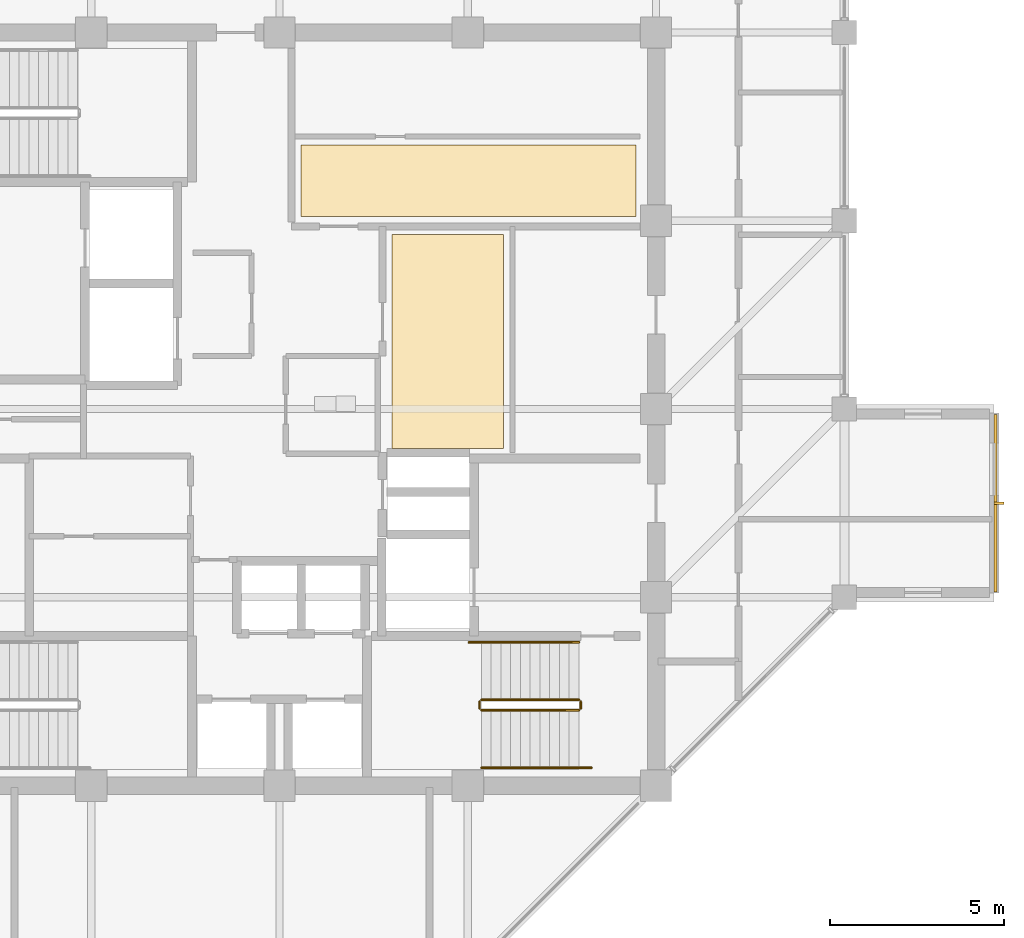
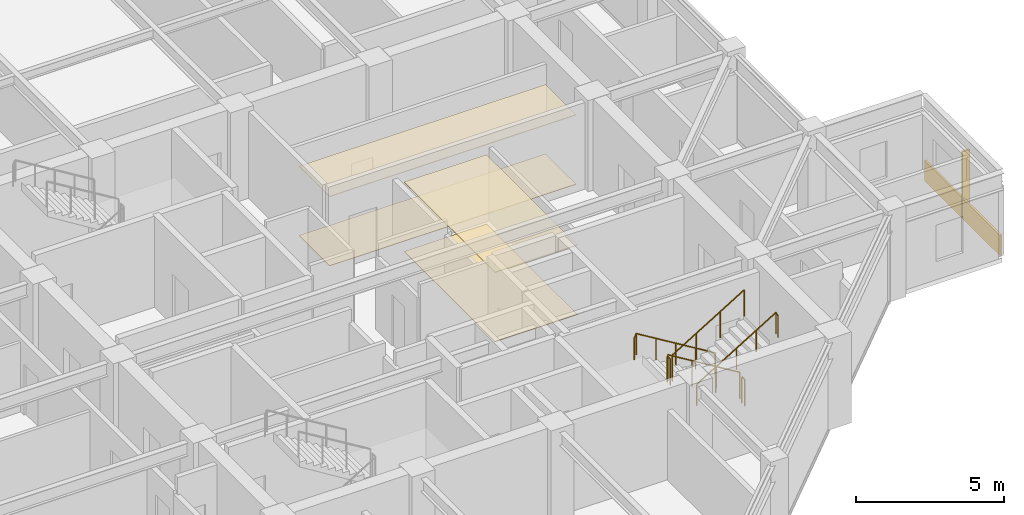
# One storey, part 30 of 31: 6 railings, 5 coverings, 1 shading device.
"""IFC4 building model written with IfcOpenShell, lengths in metres."""

import ifcopenshell
import ifcopenshell.guid

model = None  # the IFC model being written
_history = None  # IfcOwnerHistory: only IFC2X3 demands one
_inside = {}  # id of a spatial element -> (the spatial element, [elements in it])
_under = {}  # id of a project, library or spatial element -> (it, [spatial elements below it])
_declared = {}  # id of a project -> (the project, [libraries it declares])
_typed = {}  # id of a type object -> (the type object, [elements of that type])
_made_of = {}  # id of a material, layer set ... -> (it, [elements and type objects made of it])


def new_model(schema):
    """Start an empty IFC model of exactly this schema.

    Asked for "IFC4X3", IfcOpenShell would pick the latest addendum, in which some entities
    have other attributes; the version numbers below select the first issue.
    IFC2X3 requires an IfcOwnerHistory on every rooted entity: one is made here for all.
    """
    global model, _history
    if schema == "IFC4X3":
        model = ifcopenshell.file(schema_version=(4, 3, 0, 0))
    else:
        model = ifcopenshell.file(schema=schema)
    _inside.clear()
    _under.clear()
    _declared.clear()
    _typed.clear()
    _made_of.clear()
    _history = None
    if model.schema == "IFC2X3":
        org = make("IfcOrganization", Name="unknown")
        user = make(
            "IfcPersonAndOrganization",
            ThePerson=make("IfcPerson", FamilyName="unknown"),
            TheOrganization=org,
        )
        app = make(
            "IfcApplication",
            ApplicationDeveloper=org,
            Version="unknown",
            ApplicationFullName="unknown",
            ApplicationIdentifier="unknown",
        )
        _history = make(
            "IfcOwnerHistory",
            OwningUser=user,
            OwningApplication=app,
            ChangeAction="ADDED",
            CreationDate=0,
        )
    return model


def make(cls, **values):
    """One entity of the class cls with the attributes given. An attribute that is None is left unset."""
    return model.create_entity(
        cls, **{name: value for name, value in values.items() if value is not None}
    )


def rooted(cls, **values):
    """An entity with a GlobalId (a new one), such as an element, a storey or a relation."""
    return make(cls, GlobalId=ifcopenshell.guid.new(), OwnerHistory=_history, **values)


def si_unit(unit_type, name, prefix=None):
    """IfcSIUnit, for example si_unit("LENGTHUNIT", "METRE", prefix="MILLI")."""
    return make("IfcSIUnit", UnitType=unit_type, Prefix=prefix, Name=name)


def assignment(units):
    """IfcUnitAssignment: the units of a project."""
    return None if units is None else make("IfcUnitAssignment", Units=units)


def point(xyz):
    """IfcCartesianPoint."""
    return None if xyz is None else make("IfcCartesianPoint", Coordinates=xyz)


def direction(xyz):
    """IfcDirection."""
    return None if xyz is None else make("IfcDirection", DirectionRatios=xyz)


def frame(location, z_axis=None, x_axis=None):
    """IfcAxis2Placement3D, a coordinate frame: its origin and axes. An axis left out is left unset."""
    return make(
        "IfcAxis2Placement3D",
        Location=point(location),
        Axis=direction(z_axis),
        RefDirection=direction(x_axis),
    )


def frame_2d(location, x_axis=None):
    """IfcAxis2Placement2D, a coordinate frame in the plane: its origin and x axis."""
    return make(
        "IfcAxis2Placement2D", Location=point(location), RefDirection=direction(x_axis)
    )


def origin():
    """The frame at (0, 0, 0) with its axes left unset."""
    return frame((0.0, 0.0, 0.0))


def origin_2d():
    """The frame at (0, 0) in the plane with its x axis left unset."""
    return frame_2d((0.0, 0.0))


def place(relative_to, where):
    """IfcLocalPlacement: puts the frame where relative to a parent placement (None: the world)."""
    return make(
        "IfcLocalPlacement", PlacementRelTo=relative_to, RelativePlacement=where
    )


def context(
    kind, dimensions, precision=None, world=None, true_north=None, identifier=None
):
    """IfcGeometricRepresentationContext, for example the 3D "Model" context."""
    return make(
        "IfcGeometricRepresentationContext",
        ContextIdentifier=identifier,
        ContextType=kind,
        CoordinateSpaceDimension=dimensions,
        Precision=precision,
        WorldCoordinateSystem=world,
        TrueNorth=true_north,
    )


def subcontext(parent, identifier, kind, view, scale=None):
    """IfcGeometricRepresentationSubContext, for example "Body" below "Model"."""
    return make(
        "IfcGeometricRepresentationSubContext",
        ContextIdentifier=identifier,
        ContextType=kind,
        ParentContext=parent,
        TargetScale=scale,
        TargetView=view,
    )


def project(units=None, contexts=None):
    """IfcProject with its units and contexts."""
    return rooted(
        "IfcProject",
        Name="project",
        RepresentationContexts=contexts,
        UnitsInContext=assignment(units),
    )


def spatial(cls, under=None, at=None, **own):
    """A site, building, storey or space (cls), placed at a placement, below another one or the project."""
    s = rooted(cls, ObjectPlacement=at, **own)
    if under is not None:
        _under.setdefault(under.id(), (under, []))[1].append(s)
    return s


def polyline(points):
    """IfcPolyline through the points."""
    return make("IfcPolyline", Points=[point(p) for p in points])


def profile(cls, at=None, kind="AREA", **sizes):
    """A parametric profile (cls). Its sizes go by their IFC names, for example OverallWidth=200.0."""
    return make(cls, ProfileType=kind, Position=at, **sizes)


def rectangle(**sizes):
    """IfcRectangleProfileDef."""
    return profile("IfcRectangleProfileDef", **sizes)


def circle(**sizes):
    """IfcCircleProfileDef."""
    return profile("IfcCircleProfileDef", **sizes)


def outline(outer, holes=None, kind="AREA"):
    """IfcArbitraryClosedProfileDef: a profile drawn as a closed curve; with holes, ...WithVoids."""
    if holes is None:
        return make("IfcArbitraryClosedProfileDef", ProfileType=kind, OuterCurve=outer)
    return make(
        "IfcArbitraryProfileDefWithVoids",
        ProfileType=kind,
        OuterCurve=outer,
        InnerCurves=holes,
    )


def extrude(swept, where, along, depth):
    """IfcExtrudedAreaSolid: the profile swept, set in the frame where, extruded along a direction by depth."""
    return make(
        "IfcExtrudedAreaSolid",
        SweptArea=swept,
        Position=where,
        ExtrudedDirection=direction(along),
        Depth=depth,
    )


def shape(context_of_items, identifier, shape_type, items):
    """IfcShapeRepresentation: the items that make up one representation, for example the "Body"."""
    return make(
        "IfcShapeRepresentation",
        ContextOfItems=context_of_items,
        RepresentationIdentifier=identifier,
        RepresentationType=shape_type,
        Items=items,
    )


def material(Name=None, Category=None):
    """IfcMaterial."""
    return make("IfcMaterial", Name=Name, Category=Category)


def layer(
    of_material, thickness, ventilated=None, Name=None, Category=None, Priority=None
):
    """IfcMaterialLayer: one layer of a wall or slab, of a material (None: an air gap)."""
    return make(
        "IfcMaterialLayer",
        Material=of_material,
        LayerThickness=thickness,
        IsVentilated=ventilated,
        Name=Name,
        Category=Category,
        Priority=Priority,
    )


def layer_set(layers, Name=None):
    """IfcMaterialLayerSet."""
    return make("IfcMaterialLayerSet", MaterialLayers=layers, LayerSetName=Name)


def made_of(thing, what):
    """Note that an element or type object is made of a material, layer set ...; save() writes the relation."""
    if what is not None:
        _made_of.setdefault(what.id(), (what, []))[1].append(thing)
    return thing


def type_object(cls, material=None, **own):
    """A type object (cls), such as IfcWallType, which elements share."""
    return made_of(rooted(cls, **own), material)


def element(
    cls,
    number,
    at=None,
    inside=None,
    cuts=None,
    type_object=None,
    material=None,
    context=None,
    identifier="Body",
    shape_type=None,
    held_by="IfcProductDefinitionShape",
    body=None,
    shapes=None,
    **own,
):
    """One element of the class cls, such as IfcWall. Its Tag is "e" and its number.

    at: its placement. inside: the storey or other place that contains it. cuts: it is an
    opening in that element (IfcRelVoidsElement). A single representation is given by context,
    identifier, shape_type and body (its items); several are given by shapes. held_by: the class
    of the entity that holds the representations. save() writes the other relations.
    """
    e = rooted(cls, Tag="e%d" % number, ObjectPlacement=at, **own)
    if body is not None:
        shapes = [shape(context, identifier, shape_type, body)]
    if shapes is not None:
        e.Representation = make(held_by, Representations=shapes)
    if inside is not None:
        _inside.setdefault(inside.id(), (inside, []))[1].append(e)
    if cuts is not None:
        rooted(
            "IfcRelVoidsElement", RelatingBuildingElement=cuts, RelatedOpeningElement=e
        )
    if type_object is not None:
        _typed.setdefault(type_object.id(), (type_object, []))[1].append(e)
    return made_of(e, material)


def aggregate(whole, parts):
    """IfcRelAggregates: a whole, such as a stair, and the parts it consists of."""
    return rooted("IfcRelAggregates", RelatingObject=whole, RelatedObjects=parts)


def save(model, path):
    """Write the relations noted so far, then the file.

    IfcRelAggregates (storeys below a building ...), IfcRelContainedInSpatialStructure (elements
    in a storey), IfcRelDefinesByType, IfcRelAssociatesMaterial and IfcRelDeclares: one each for
    every whole, place, type object, material and project.
    """
    for whole, parts in _under.values():
        aggregate(whole, parts)
    for where, things in _inside.values():
        rooted(
            "IfcRelContainedInSpatialStructure",
            RelatedElements=things,
            RelatingStructure=where,
        )
    for kind, things in _typed.values():
        rooted("IfcRelDefinesByType", RelatedObjects=things, RelatingType=kind)
    for what, things in _made_of.values():
        rooted("IfcRelAssociatesMaterial", RelatedObjects=things, RelatingMaterial=what)
    for by, libraries in _declared.values():
        rooted("IfcRelDeclares", RelatingContext=by, RelatedDefinitions=libraries)
    model.write(path)


model = new_model("IFC4")

# Units and contexts
model_context = context("Model", 3, precision=1e-05, world=origin(), true_north=direction((0.0, 1.0)))
body_context = subcontext(model_context, "Body", "Model", "MODEL_VIEW")
ifc_project = project(units=[si_unit("LENGTHUNIT", "METRE"), si_unit("AREAUNIT", "SQUARE_METRE"), si_unit("VOLUMEUNIT", "CUBIC_METRE"), si_unit("PLANEANGLEUNIT", "RADIAN"), si_unit("MASSUNIT", "GRAM", prefix="KILO")], contexts=[model_context])

# Site, building, storey
site_placement = place(None, origin())
site = spatial("IfcSite", under=ifc_project, at=site_placement, CompositionType="ELEMENT")
building_placement = place(site_placement, origin())
building = spatial("IfcBuilding", under=site, at=building_placement, Name="Surkhivell Harbour Commons", CompositionType="ELEMENT")
storey_placement = place(building_placement, frame((0.0, 0.0, 322.5)))
storey = spatial("IfcBuildingStorey", under=building, at=storey_placement, Name="L84", CompositionType="ELEMENT", Elevation=322.5)

# Coverings
ifc_material_1 = material(Name="Perforated acoustic mineral-fibre ceiling tile", Category="other")
ifc_layer_1 = layer(ifc_material_1, 0.02490234375)
ifc_layer_set_1 = layer_set([ifc_layer_1], Name="Perforated acoustic mineral-fibre ceiling tile")
covering_type_1 = type_object("IfcCoveringType", Name="COV-CEIL-AC", PredefinedType="CEILING", material=ifc_layer_set_1)
covering_1_placement = place(storey_placement, frame((0.0, 0.0, 2.85205078125)))
element("IfcCovering", 1, at=covering_1_placement, inside=storey, type_object=covering_type_1, Name="L84 Suspended Acoustic Ceiling 1", PredefinedType="CEILING", context=body_context, shape_type="SweptSolid", body=[
    extrude(outline(polyline([(0.6201171875, 5.52001953125), (10.219970703125, 5.52001953125), (10.219970703125, 7.580078125), (0.6201171875, 7.580078125), (0.6201171875, 5.52001953125)])), origin(), (0.0, 0.0, 1.0), 0.02490234375),
])
ifc_material_2 = material(Name="Moisture-resistant gypsum acoustic ceiling board", Category="other")
ifc_layer_2 = layer(ifc_material_2, 0.030029296875)
ifc_layer_set_2 = layer_set([ifc_layer_2], Name="Moisture-resistant gypsum acoustic ceiling board")
covering_type_2 = type_object("IfcCoveringType", Name="COV-CEIL-GYP", PredefinedType="CEILING", material=ifc_layer_set_2)
covering_2_placement = place(storey_placement, frame((0.0, 0.0, 2.846923828125)))
element("IfcCovering", 2, at=covering_2_placement, inside=storey, type_object=covering_type_2, Name="L84 Suspended Acoustic Ceiling 2", PredefinedType="CEILING", context=body_context, shape_type="SweptSolid", body=[
    extrude(outline(polyline([(3.219970703125, -1.1298828125), (6.429931640625, -1.1298828125), (6.429931640625, 5.0), (3.219970703125, 5.0), (3.219970703125, -1.1298828125)])), origin(), (0.0, 0.0, 1.0), 0.030029296875),
])
ifc_material_3 = material(Name="Vermilion-coral enamelled aluminium cassette panel", Category="aluminium")
ifc_layer_3 = layer(ifc_material_3, 0.074951171875)
ifc_layer_set_3 = layer_set([ifc_layer_3], Name="Vermilion-coral enamelled aluminium cassette panel")
covering_type_3 = type_object("IfcCoveringType", Name="COV-CLAD-VER", PredefinedType="CLADDING", material=ifc_layer_set_3)
covering_3_placement = place(storey_placement, frame((20.5400390625, -2.699951171875, 0.0), z_axis=(0.0, 0.0, 1.0), x_axis=(1.0, 0.0, 0.0)))
element("IfcCovering", 3, at=covering_3_placement, inside=storey, type_object=covering_type_3, Name="L84 Coloured-Panel Box Spandrel Cassette 01", PredefinedType="CLADDING", context=body_context, shape_type="SweptSolid", body=[
    extrude(rectangle(XDim=0.080078125, YDim=5.10009765625, at=origin_2d()), origin(), (0.0, 0.0, 1.0), 0.840087890625),
])
ifc_material_4 = material(Name="Engineered acoustic oak timber flooring", Category="wood")
ifc_layer_4 = layer(ifc_material_4, 0.02001953125)
ifc_layer_set_4 = layer_set([ifc_layer_4], Name="Engineered acoustic oak timber flooring")
covering_type_4 = type_object("IfcCoveringType", Name="COV-FLR-TIM", PredefinedType="FLOORING", material=ifc_layer_set_4)
covering_4_placement = place(storey_placement, origin())
element("IfcCovering", 4, at=covering_4_placement, inside=storey, type_object=covering_type_4, Name="L84 Interior Floor Finish 1", PredefinedType="FLOORING", context=body_context, shape_type="SweptSolid", body=[
    extrude(outline(polyline([(0.6201171875, 5.52001953125), (10.219970703125, 5.52001953125), (10.219970703125, 7.580078125), (0.6201171875, 7.580078125), (0.6201171875, 5.52001953125)])), origin(), (0.0, 0.0, 1.0), 0.02001953125),
])
covering_5_placement = place(storey_placement, origin())
element("IfcCovering", 5, at=covering_5_placement, inside=storey, type_object=covering_type_4, Name="L84 Interior Floor Finish 2", PredefinedType="FLOORING", context=body_context, shape_type="SweptSolid", body=[
    extrude(outline(polyline([(3.219970703125, -1.1298828125), (6.429931640625, -1.1298828125), (6.429931640625, 5.0), (3.219970703125, 5.0), (3.219970703125, -1.1298828125)])), origin(), (0.0, 0.0, 1.0), 0.02001953125),
])

# Railings
ifc_material_5 = material(Name="Galvanised and painted steel S355 guard rail", Category="steel")
railing_type_1 = type_object("IfcRailingType", Name="RAL-ST-GRD1100", PredefinedType="GUARDRAIL", material=ifc_material_5)
railing_1_placement = place(storey_placement, frame((8.590087890625, -8.340087890625, 0.17041015625)))
element("IfcRailing", 6, at=railing_1_placement, inside=storey, type_object=railing_type_1, Name="L84 ST2 stair guard 1", PredefinedType="GUARDRAIL", context=body_context, shape_type="SweptSolid", body=[
    extrude(circle(Radius=0.02392578125, at=origin_2d()), frame((0.0, 0.0, 1.076171875), z_axis=(-0.854169791009, 0.0, 0.51999420009), x_axis=(0.0, -1.0, 0.0)), (0.0, 0.0, 1.0), 3.278076171875),
    extrude(circle(Radius=0.02099609375, at=origin_2d()), origin(), (0.0, 0.0, 1.0), 1.052001953125),
    extrude(circle(Radius=0.02099609375, at=origin_2d()), frame((-0.933349609375, 0.0, 0.568115234375)), (0.0, 0.0, 1.0), 1.052001953125),
    extrude(circle(Radius=0.02099609375, at=origin_2d()), frame((-1.86669921875, 0.0, 1.136474609375)), (0.0, 0.0, 1.0), 1.052001953125),
    extrude(circle(Radius=0.02099609375, at=origin_2d()), frame((-2.800048828125, 0.0, 1.70458984375)), (0.0, 0.0, 1.0), 1.052001953125),
])
railing_2_placement = place(storey_placement, frame((5.739990234375, -8.389892578125, 1.875)))
element("IfcRailing", 7, at=railing_2_placement, inside=storey, type_object=railing_type_1, Name="L84 ST2 stair guard 2", PredefinedType="GUARDRAIL", context=body_context, shape_type="SweptSolid", body=[
    extrude(circle(Radius=0.02392578125, at=origin_2d()), frame((0.0, 0.0, 1.076171875), z_axis=(0.0, -1.0, 0.0), x_axis=(1.0, 0.0, 0.0)), (0.0, 0.0, 1.0), 0.2001953125),
    extrude(circle(Radius=0.02099609375, at=origin_2d()), origin(), (0.0, 0.0, 1.0), 1.052001953125),
    extrude(circle(Radius=0.02099609375, at=origin_2d()), frame((0.0, -0.2001953125, 0.0)), (0.0, 0.0, 1.0), 1.052001953125),
])
railing_3_placement = place(storey_placement, frame((5.7900390625, -8.639892578125, 2.04541015625)))
element("IfcRailing", 8, at=railing_3_placement, inside=storey, type_object=railing_type_1, Name="L84 ST2 stair guard 3", PredefinedType="GUARDRAIL", context=body_context, shape_type="SweptSolid", body=[
    extrude(circle(Radius=0.02392578125, at=origin_2d()), frame((0.0, 0.0, 1.076171875), z_axis=(0.854169791009, 0.0, 0.51999420009), x_axis=(0.0, 1.0, 0.0)), (0.0, 0.0, 1.0), 3.278076171875),
    extrude(circle(Radius=0.02099609375, at=origin_2d()), origin(), (0.0, 0.0, 1.0), 1.052001953125),
    extrude(circle(Radius=0.02099609375, at=origin_2d()), frame((0.933349609375, 0.0, 0.568115234375)), (0.0, 0.0, 1.0), 1.052001953125),
    extrude(circle(Radius=0.02099609375, at=origin_2d()), frame((1.86669921875, 0.0, 1.136474609375)), (0.0, 0.0, 1.0), 1.052001953125),
    extrude(circle(Radius=0.02099609375, at=origin_2d()), frame((2.800048828125, 0.0, 1.70458984375)), (0.0, 0.0, 1.0), 1.052001953125),
])
railing_4_placement = place(storey_placement, frame((8.639892578125, -8.389892578125, 0.0)))
element("IfcRailing", 9, at=railing_4_placement, inside=storey, type_object=railing_type_1, Name="L84 ST2 stair guard 4", PredefinedType="GUARDRAIL", context=body_context, shape_type="SweptSolid", body=[
    extrude(circle(Radius=0.02392578125, at=origin_2d()), frame((0.0, 0.0, 1.076171875), z_axis=(0.0, -1.0, 0.0), x_axis=(1.0, 0.0, 0.0)), (0.0, 0.0, 1.0), 0.2001953125),
    extrude(circle(Radius=0.02099609375, at=origin_2d()), origin(), (0.0, 0.0, 1.0), 1.052001953125),
    extrude(circle(Radius=0.02099609375, at=origin_2d()), frame((0.0, -0.2001953125, 0.0)), (0.0, 0.0, 1.0), 1.052001953125),
])
ifc_material_6 = material(Name="Brushed stainless steel S355 handrail", Category="steel")
railing_type_2 = type_object("IfcRailingType", Name="RAL-ST-HND900", PredefinedType="HANDRAIL", material=ifc_material_6)
railing_5_placement = place(storey_placement, frame((8.590087890625, -6.68994140625, 0.17041015625)))
element("IfcRailing", 10, at=railing_5_placement, inside=storey, type_object=railing_type_2, Name="L84 ST2 stair handrail 1", PredefinedType="HANDRAIL", context=body_context, shape_type="SweptSolid", body=[
    extrude(circle(Radius=0.02392578125, at=origin_2d()), frame((0.0, 0.0, 0.8759765625), z_axis=(-0.854177636135, 0.0, 0.519981313056), x_axis=(0.0, -1.0, 0.0)), (0.0, 0.0, 1.0), 3.60595703125),
    extrude(circle(Radius=0.02392578125, at=origin_2d()), frame((-3.080078125, 0.0, 2.7509765625), z_axis=(-0.425297416671, 0.0, -0.905053648892), x_axis=(0.0, -1.0, 0.0)), (0.0, 0.0, 1.0), 0.188232421875),
    extrude(circle(Radius=0.02099609375, at=origin_2d()), origin(), (0.0, 0.0, 1.0), 0.851806640625),
    extrude(circle(Radius=0.02099609375, at=origin_2d()), frame((-0.77001953125, 0.0, 0.46875)), (0.0, 0.0, 1.0), 0.851806640625),
    extrude(circle(Radius=0.02099609375, at=origin_2d()), frame((-1.5400390625, 0.0, 0.9375)), (0.0, 0.0, 1.0), 0.851806640625),
    extrude(circle(Radius=0.02099609375, at=origin_2d()), frame((-2.31005859375, 0.0, 1.40625)), (0.0, 0.0, 1.0), 0.851806640625),
    extrude(circle(Radius=0.02099609375, at=origin_2d()), frame((-3.080078125, 0.0, 1.875)), (0.0, 0.0, 1.0), 0.851806640625),
    extrude(circle(Radius=0.02099609375, at=origin_2d()), frame((-3.16015625, 0.0, 1.70458984375)), (0.0, 0.0, 1.0), 0.851806640625),
])
railing_6_placement = place(storey_placement, frame((5.7900390625, -10.2900390625, 2.04541015625)))
element("IfcRailing", 11, at=railing_6_placement, inside=storey, type_object=railing_type_2, Name="L84 ST2 stair handrail 2", PredefinedType="HANDRAIL", context=body_context, shape_type="SweptSolid", body=[
    extrude(circle(Radius=0.02392578125, at=origin_2d()), frame((0.0, 0.0, 0.8759765625), z_axis=(0.854177636135, 0.0, 0.519981313056), x_axis=(0.0, 1.0, 0.0)), (0.0, 0.0, 1.0), 3.60595703125),
    extrude(circle(Radius=0.02392578125, at=origin_2d()), frame((3.080078125, 0.0, 2.7509765625), z_axis=(0.424234432967, 0.0, -0.905552398199), x_axis=(0.0, 1.0, 0.0)), (0.0, 0.0, 1.0), 0.188232421875),
    extrude(circle(Radius=0.02099609375, at=origin_2d()), origin(), (0.0, 0.0, 1.0), 0.851806640625),
    extrude(circle(Radius=0.02099609375, at=origin_2d()), frame((0.77001953125, 0.0, 0.46875)), (0.0, 0.0, 1.0), 0.851806640625),
    extrude(circle(Radius=0.02099609375, at=origin_2d()), frame((1.5400390625, 0.0, 0.9375)), (0.0, 0.0, 1.0), 0.851806640625),
    extrude(circle(Radius=0.02099609375, at=origin_2d()), frame((2.31005859375, 0.0, 1.40625)), (0.0, 0.0, 1.0), 0.851806640625),
    extrude(circle(Radius=0.02099609375, at=origin_2d()), frame((3.080078125, 0.0, 1.875)), (0.0, 0.0, 1.0), 0.851806640625),
    extrude(circle(Radius=0.02099609375, at=origin_2d()), frame((3.159912109375, 0.0, 1.70458984375)), (0.0, 0.0, 1.0), 0.851806640625),
])

# Shading device
ifc_material_7 = material(Name="Champagne anodised aluminium solar fin", Category="aluminium")
shading_device_type = type_object("IfcShadingDeviceType", Name="SHD-FIN-SLIM", PredefinedType="USERDEFINED", material=ifc_material_7)
shading_device_placement = place(storey_placement, frame((20.639892578125, -2.699951171875, 0.0048828125), z_axis=(0.0, 0.0, 1.0), x_axis=(1.0, 0.0, 0.0)))
element("IfcShadingDevice", 12, at=shading_device_placement, inside=storey, type_object=shading_device_type, Name="L84 Coloured-Box Solar Fin 01", ObjectType="FIN", PredefinedType="USERDEFINED", context=body_context, shape_type="SweptSolid", body=[
    extrude(rectangle(XDim=0.280029296875, YDim=0.080078125, at=origin_2d()), origin(), (0.0, 0.0, 1.0), 2.75),
])

save(model, "model.ifc")
